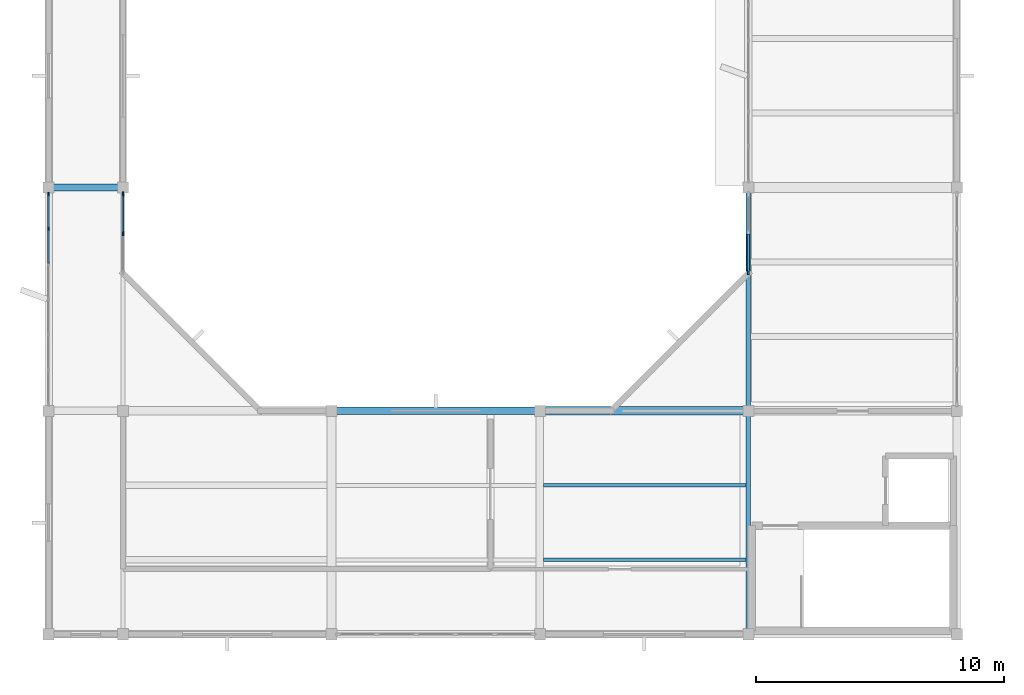
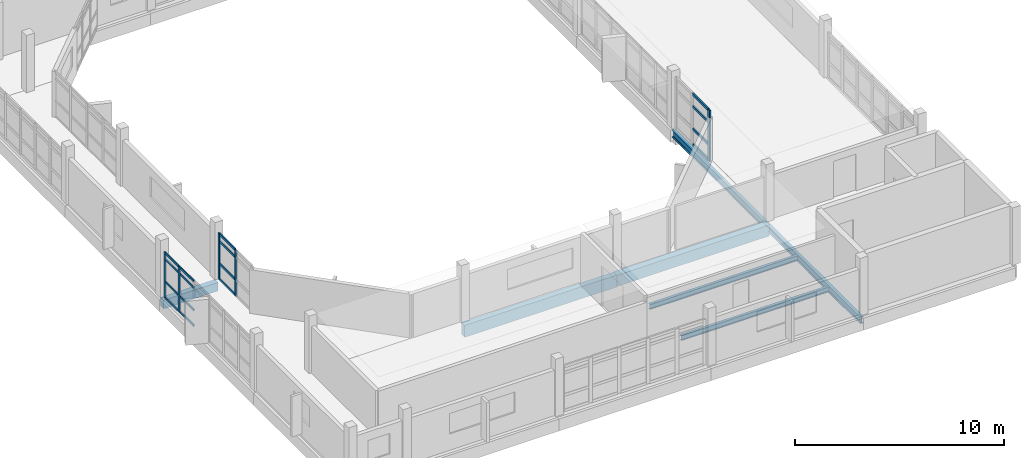
# One storey, part 3 of 33: 21 members, 7 beams, 3 elements without a shape of their own.
"""IFC4 building model written with IfcOpenShell, lengths in metres."""

from ifc_helpers import new_model, si_unit, direction, frame, origin, origin_2d, place, context, subcontext, project, spatial, rectangle, i_section, extrude, material, material_profile, profile_set, type_object, element, aggregate, save


model = new_model("IFC4")

# Units and contexts
model_context = context("Model", 3, precision=1e-05, world=origin(), true_north=direction((0.0, 1.0)))
body_context = subcontext(model_context, "Body", "Model", "MODEL_VIEW")
ifc_project = project(units=[si_unit("LENGTHUNIT", "METRE"), si_unit("AREAUNIT", "SQUARE_METRE"), si_unit("VOLUMEUNIT", "CUBIC_METRE"), si_unit("PLANEANGLEUNIT", "RADIAN"), si_unit("MASSUNIT", "GRAM", prefix="KILO")], contexts=[model_context])

# Site, building, storey
site_placement = place(None, origin())
site = spatial("IfcSite", under=ifc_project, at=site_placement, CompositionType="ELEMENT")
building_placement = place(site_placement, origin())
building = spatial("IfcBuilding", under=site, at=building_placement, Name="Vanh Quang Courtyard School", CompositionType="ELEMENT")
storey_placement = place(building_placement, frame((0.0, 0.0, 18.60009765625)))
storey = spatial("IfcBuildingStorey", under=building, at=storey_placement, Name="L05", CompositionType="ELEMENT", Elevation=18.60009765625)

# Beams
ifc_material_1 = material(Name="Concrete C35/45", Category="concrete")
ifc_material_profile_1 = material_profile(ifc_material_1, rectangle(XDim=0.300048828125, YDim=0.5, at=origin_2d()), Name="RC-BM 300x500")
ifc_profile_set_1 = profile_set([ifc_material_profile_1], Name="Concrete C35/45")
beam_type_1 = type_object("IfcBeamType", Name="BM-RC-300x500", PredefinedType="BEAM", material=ifc_profile_set_1)
beam_1_placement = place(storey_placement, frame((37.800048828125, 50.39990234375, -0.5), z_axis=(1.0, 0.0, 0.0), x_axis=(0.0, 1.0, 0.0)))
element("IfcBeam", 1, at=beam_1_placement, inside=storey, type_object=beam_type_1, Name="Beam B-08 (L05)", PredefinedType="BEAM", context=body_context, shape_type="SweptSolid", body=[
    extrude(rectangle(XDim=0.300048828125, YDim=0.5, at=origin_2d()), origin(), (0.0, 0.0, 1.0), 3.0),
])
ifc_material_profile_2 = material_profile(ifc_material_1, rectangle(XDim=0.35009765625, YDim=0.64990234375, at=origin_2d()), Name="RC-BM 350x650")
ifc_profile_set_2 = profile_set([ifc_material_profile_2], Name="Concrete C35/45")
beam_type_2 = type_object("IfcBeamType", Name="BM-RC-350x650", PredefinedType="BEAM", material=ifc_profile_set_2)
beam_2_placement = place(storey_placement, frame((57.60009765625, 41.39990234375, -0.5751953125), z_axis=(1.0, 0.0, 0.0), x_axis=(0.0, 1.0, 0.0)))
element("IfcBeam", 2, at=beam_2_placement, inside=storey, type_object=beam_type_2, Name="Beam B-05 (L05)", PredefinedType="BEAM", context=body_context, shape_type="SweptSolid", body=[
    extrude(rectangle(XDim=0.35009765625, YDim=0.64990234375, at=origin_2d()), origin(), (0.0, 0.0, 1.0), 8.39990234375),
])
ifc_material_profile_3 = material_profile(ifc_material_1, rectangle(XDim=0.300048828125, YDim=0.699951171875, at=origin_2d()), Name="RC-SP 300x700")
ifc_profile_set_3 = profile_set([ifc_material_profile_3], Name="Concrete C35/45")
beam_type_3 = type_object("IfcBeamType", Name="BM-SP-300x700", PredefinedType="SPANDREL", material=ifc_profile_set_3)
beam_3_placement = place(storey_placement, frame((49.199951171875, 41.39990234375, -0.60009765625), z_axis=(1.0, 0.0, 0.0), x_axis=(0.0, 1.0, 0.0)))
element("IfcBeam", 3, at=beam_3_placement, inside=storey, type_object=beam_type_3, Name="Beam BS-01 (L05)", PredefinedType="SPANDREL", context=body_context, shape_type="SweptSolid", body=[
    extrude(rectangle(XDim=0.300048828125, YDim=0.699951171875, at=origin_2d()), origin(), (0.0, 0.0, 1.0), 8.400146484375),
])
ifc_material_2 = material(Name="Structural steel EN 10025-2 S355J2", Category="steel")
ifc_material_profile_4 = material_profile(ifc_material_2, i_section(OverallWidth=0.179931640625, OverallDepth=0.39990234375, WebThickness=0.008544921875, FlangeThickness=0.013427734375, FilletRadius=0.02099609375, at=origin_2d()), Name="IPE 400")
ifc_profile_set_4 = profile_set([ifc_material_profile_4], Name="Structural steel EN 10025-2 S355J2")
beam_type_4 = type_object("IfcBeamType", Name="BM-STL-IPE400", PredefinedType="BEAM", material=ifc_profile_set_4)
for number, where, z_axis, x_axis, name in (
    (4, (66.0, 32.39990234375, -0.4501953125), (0.0, 1.0, 0.0), (-1.0, 0.0, 0.0), "Beam SB-05 (L05)"),
    (5, (66.0, 41.39990234375, -0.4501953125), (0.0, 1.0, 0.0), (-1.0, 0.0, 0.0), "Beam SB-05 (L05)"),
):
    element("IfcBeam", number, at=place(storey_placement, frame(where, z_axis=z_axis, x_axis=x_axis)), inside=storey, type_object=beam_type_4, Name=name, PredefinedType="BEAM", context=body_context, shape_type="SweptSolid", body=[
        extrude(i_section(OverallWidth=0.179931640625, OverallDepth=0.39990234375, WebThickness=0.008544921875, FlangeThickness=0.013427734375, FilletRadius=0.02099609375, at=origin_2d()), origin(), (0.0, 0.0, 1.0), 9.0),
    ])

# Curtain wall, members
ifc_material_3 = material(Name="Thermally broken aluminium unitised curtain wall", Category="aluminium")
curtain_wall_type_1 = type_object("IfcCurtainWallType", Name="CW-SYS-50", PredefinedType="NOTDEFINED", material=ifc_material_3)
curtain_wall_1_placement = place(storey_placement, origin())
curtain_wall_1 = element("IfcCurtainWall", 6, at=curtain_wall_1_placement, inside=storey, type_object=curtain_wall_type_1, Name="Curtain Wall CW-50 (L05)", PredefinedType="NOTDEFINED")
ifc_material_4 = material(Name="Anodised aluminium 6063-T6", Category="aluminium")
ifc_material_profile_5 = material_profile(ifc_material_4, rectangle(XDim=0.06005859375, YDim=0.159912109375, at=origin_2d()), Name="ALU-MUL 60x160")
ifc_profile_set_5 = profile_set([ifc_material_profile_5], Name="Anodised aluminium 6063-T6")
member_type_1 = type_object("IfcMemberType", Name="CW-MUL-60x160", PredefinedType="MULLION", material=ifc_profile_set_5)
member_1_placement = place(storey_placement, frame((37.800048828125, 48.74462890625, 0.0), z_axis=(0.0, 0.0, 1.0), x_axis=(-1.0, 0.0, 0.0)))
member_1 = element("IfcMember", 7, at=member_1_placement, type_object=member_type_1, Name="CW-50 mullion 6", PredefinedType="MULLION", context=body_context, shape_type="SweptSolid", body=[
    extrude(rectangle(XDim=0.06005859375, YDim=0.159912109375, at=origin_2d()), origin(), (0.0, 0.0, 1.0), 2.64990234375),
])
member_2_placement = place(storey_placement, frame((37.800048828125, 50.136962890625, 0.0), z_axis=(0.0, 0.0, 1.0), x_axis=(-1.0, 0.0, 0.0)))
member_2 = element("IfcMember", 8, at=member_2_placement, type_object=member_type_1, Name="CW-50 mullion 7", PredefinedType="MULLION", context=body_context, shape_type="SweptSolid", body=[
    extrude(rectangle(XDim=0.06005859375, YDim=0.159912109375, at=origin_2d()), origin(), (0.0, 0.0, 1.0), 2.64990234375),
])

curtain_wall_type_2 = type_object("IfcCurtainWallType", Name="CW-SYS-43", PredefinedType="NOTDEFINED", material=ifc_material_3)
curtain_wall_2_placement = place(storey_placement, origin())
curtain_wall_2 = element("IfcCurtainWall", 9, at=curtain_wall_2_placement, inside=storey, type_object=curtain_wall_type_2, Name="Curtain Wall CW-43 (L05)", PredefinedType="NOTDEFINED")
ifc_material_profile_6 = material_profile(ifc_material_4, rectangle(XDim=0.070068359375, YDim=0.179931640625, at=origin_2d()), Name="ALU-MUL 70x180")
ifc_profile_set_6 = profile_set([ifc_material_profile_6], Name="Anodised aluminium 6063-T6")
member_type_2 = type_object("IfcMemberType", Name="CW-MUL-70x180", PredefinedType="MULLION", material=ifc_profile_set_6)
member_3_placement = place(storey_placement, frame((40.800048828125, 50.132080078125, 0.0), z_axis=(0.0, 0.0, 1.0), x_axis=(1.0, 0.0, 0.0)))
member_3 = element("IfcMember", 10, at=member_3_placement, type_object=member_type_2, Name="CW-43 mullion 1", PredefinedType="MULLION", context=body_context, shape_type="SweptSolid", body=[
    extrude(rectangle(XDim=0.070068359375, YDim=0.179931640625, at=origin_2d()), origin(), (0.0, 0.0, 1.0), 2.699951171875),
])
member_4_placement = place(storey_placement, frame((40.800048828125, 48.555419921875, 0.0), z_axis=(0.0, 0.0, 1.0), x_axis=(1.0, 0.0, 0.0)))
member_4 = element("IfcMember", 11, at=member_4_placement, type_object=member_type_2, Name="CW-43 mullion 2", PredefinedType="MULLION", context=body_context, shape_type="SweptSolid", body=[
    extrude(rectangle(XDim=0.070068359375, YDim=0.179931640625, at=origin_2d()), origin(), (0.0, 0.0, 1.0), 2.699951171875),
])

# Curtain wall, member
curtain_wall_type_3 = type_object("IfcCurtainWallType", Name="CW-SYS-53", PredefinedType="NOTDEFINED", material=ifc_material_3)
curtain_wall_3_placement = place(storey_placement, origin())
curtain_wall_3 = element("IfcCurtainWall", 12, at=curtain_wall_3_placement, inside=storey, type_object=curtain_wall_type_3, Name="Curtain Wall CW-53 (L05)", PredefinedType="NOTDEFINED")
ifc_material_profile_7 = material_profile(ifc_material_4, rectangle(XDim=0.080078125, YDim=0.199951171875, at=origin_2d()), Name="ALU-MUL 80x200")
ifc_profile_set_7 = profile_set([ifc_material_profile_7], Name="Anodised aluminium 6063-T6")
member_type_3 = type_object("IfcMemberType", Name="CW-MUL-80x200", PredefinedType="MULLION", material=ifc_profile_set_7)
member_5_placement = place(storey_placement, frame((66.0, 46.98388671875, 0.0), z_axis=(0.0, 0.0, 1.0), x_axis=(-1.0, 0.0, 0.0)))
member_5 = element("IfcMember", 13, at=member_5_placement, type_object=member_type_3, Name="CW-53 mullion 1", PredefinedType="MULLION", context=body_context, shape_type="SweptSolid", body=[
    extrude(rectangle(XDim=0.080078125, YDim=0.199951171875, at=origin_2d()), origin(), (0.0, 0.0, 1.0), 2.989990234375),
])

# Member
ifc_material_profile_8 = material_profile(ifc_material_4, rectangle(XDim=0.06005859375, YDim=0.1201171875, at=origin_2d()), Name="ALU-TRN 60x120")
ifc_profile_set_8 = profile_set([ifc_material_profile_8], Name="Anodised aluminium 6063-T6")
member_type_4 = type_object("IfcMemberType", Name="CW-TRN-60x120", PredefinedType="USERDEFINED", material=ifc_profile_set_8)
member_6_placement = place(storey_placement, frame((37.800048828125, 47.352294921875, 0.02978515625), z_axis=(0.0, 1.0, 0.0), x_axis=(-1.0, 0.0, 0.0)))
member_6 = element("IfcMember", 14, at=member_6_placement, type_object=member_type_4, Name="CW-50 transom 5.1", ObjectType="TRANSOM", PredefinedType="USERDEFINED", context=body_context, shape_type="SweptSolid", body=[
    extrude(rectangle(XDim=0.06005859375, YDim=0.1201171875, at=origin_2d()), origin(), (0.0, 0.0, 1.0), 1.3623046875),
])

member_7_placement = place(storey_placement, frame((37.800048828125, 47.352294921875, 0.949951171875), z_axis=(0.0, 1.0, 0.0), x_axis=(-1.0, 0.0, 0.0)))
member_7 = element("IfcMember", 15, at=member_7_placement, type_object=member_type_4, Name="CW-50 transom 5.2", ObjectType="TRANSOM", PredefinedType="USERDEFINED", context=body_context, shape_type="SweptSolid", body=[
    extrude(rectangle(XDim=0.06005859375, YDim=0.1201171875, at=origin_2d()), origin(), (0.0, 0.0, 1.0), 1.3623046875),
])

member_8_placement = place(storey_placement, frame((37.800048828125, 47.352294921875, 2.25), z_axis=(0.0, 1.0, 0.0), x_axis=(-1.0, 0.0, 0.0)))
member_8 = element("IfcMember", 16, at=member_8_placement, type_object=member_type_4, Name="CW-50 transom 5.3", ObjectType="TRANSOM", PredefinedType="USERDEFINED", context=body_context, shape_type="SweptSolid", body=[
    extrude(rectangle(XDim=0.06005859375, YDim=0.1201171875, at=origin_2d()), origin(), (0.0, 0.0, 1.0), 1.3623046875),
])

member_9_placement = place(storey_placement, frame((37.800048828125, 47.352294921875, 2.619873046875), z_axis=(0.0, 1.0, 0.0), x_axis=(-1.0, 0.0, 0.0)))
member_9 = element("IfcMember", 17, at=member_9_placement, type_object=member_type_4, Name="CW-50 transom 5.4", ObjectType="TRANSOM", PredefinedType="USERDEFINED", context=body_context, shape_type="SweptSolid", body=[
    extrude(rectangle(XDim=0.06005859375, YDim=0.1201171875, at=origin_2d()), origin(), (0.0, 0.0, 1.0), 1.3623046875),
])

member_10_placement = place(storey_placement, frame((37.800048828125, 48.774658203125, 0.02978515625), z_axis=(0.0, 1.0, 0.0), x_axis=(-1.0, 0.0, 0.0)))
member_10 = element("IfcMember", 18, at=member_10_placement, type_object=member_type_4, Name="CW-50 transom 6.1", ObjectType="TRANSOM", PredefinedType="USERDEFINED", context=body_context, shape_type="SweptSolid", body=[
    extrude(rectangle(XDim=0.06005859375, YDim=0.1201171875, at=origin_2d()), origin(), (0.0, 0.0, 1.0), 1.332275390625),
])

member_11_placement = place(storey_placement, frame((37.800048828125, 48.774658203125, 0.949951171875), z_axis=(0.0, 1.0, 0.0), x_axis=(-1.0, 0.0, 0.0)))
member_11 = element("IfcMember", 19, at=member_11_placement, type_object=member_type_4, Name="CW-50 transom 6.2", ObjectType="TRANSOM", PredefinedType="USERDEFINED", context=body_context, shape_type="SweptSolid", body=[
    extrude(rectangle(XDim=0.06005859375, YDim=0.1201171875, at=origin_2d()), origin(), (0.0, 0.0, 1.0), 1.332275390625),
])

member_12_placement = place(storey_placement, frame((37.800048828125, 48.774658203125, 2.25), z_axis=(0.0, 1.0, 0.0), x_axis=(-1.0, 0.0, 0.0)))
member_12 = element("IfcMember", 20, at=member_12_placement, type_object=member_type_4, Name="CW-50 transom 6.3", ObjectType="TRANSOM", PredefinedType="USERDEFINED", context=body_context, shape_type="SweptSolid", body=[
    extrude(rectangle(XDim=0.06005859375, YDim=0.1201171875, at=origin_2d()), origin(), (0.0, 0.0, 1.0), 1.332275390625),
])

member_13_placement = place(storey_placement, frame((37.800048828125, 48.774658203125, 2.619873046875), z_axis=(0.0, 1.0, 0.0), x_axis=(-1.0, 0.0, 0.0)))
member_13 = element("IfcMember", 21, at=member_13_placement, type_object=member_type_4, Name="CW-50 transom 6.4", ObjectType="TRANSOM", PredefinedType="USERDEFINED", context=body_context, shape_type="SweptSolid", body=[
    extrude(rectangle(XDim=0.06005859375, YDim=0.1201171875, at=origin_2d()), origin(), (0.0, 0.0, 1.0), 1.332275390625),
])

aggregate(curtain_wall_1, [member_1, member_2, member_6, member_7, member_8, member_9, member_10, member_11, member_12, member_13])

ifc_material_profile_9 = material_profile(ifc_material_4, rectangle(XDim=0.070068359375, YDim=0.139892578125, at=origin_2d()), Name="ALU-TRN 70x140")
ifc_profile_set_9 = profile_set([ifc_material_profile_9], Name="Anodised aluminium 6063-T6")
member_type_5 = type_object("IfcMemberType", Name="CW-TRN-70x140", PredefinedType="USERDEFINED", material=ifc_profile_set_9)
member_14_placement = place(storey_placement, frame((40.800048828125, 50.096923828125, 0.034912109375), z_axis=(0.0, -1.0, 0.0), x_axis=(1.0, 0.0, 0.0)))
member_14 = element("IfcMember", 22, at=member_14_placement, type_object=member_type_5, Name="CW-43 transom 1.1", ObjectType="TRANSOM", PredefinedType="USERDEFINED", context=body_context, shape_type="SweptSolid", body=[
    extrude(rectangle(XDim=0.070068359375, YDim=0.139892578125, at=origin_2d()), origin(), (0.0, 0.0, 1.0), 1.50634765625),
])

member_15_placement = place(storey_placement, frame((40.800048828125, 50.096923828125, 0.949951171875), z_axis=(0.0, -1.0, 0.0), x_axis=(1.0, 0.0, 0.0)))
member_15 = element("IfcMember", 23, at=member_15_placement, type_object=member_type_5, Name="CW-43 transom 1.2", ObjectType="TRANSOM", PredefinedType="USERDEFINED", context=body_context, shape_type="SweptSolid", body=[
    extrude(rectangle(XDim=0.070068359375, YDim=0.139892578125, at=origin_2d()), origin(), (0.0, 0.0, 1.0), 1.50634765625),
])

member_16_placement = place(storey_placement, frame((40.800048828125, 50.096923828125, 2.25), z_axis=(0.0, -1.0, 0.0), x_axis=(1.0, 0.0, 0.0)))
member_16 = element("IfcMember", 24, at=member_16_placement, type_object=member_type_5, Name="CW-43 transom 1.3", ObjectType="TRANSOM", PredefinedType="USERDEFINED", context=body_context, shape_type="SweptSolid", body=[
    extrude(rectangle(XDim=0.070068359375, YDim=0.139892578125, at=origin_2d()), origin(), (0.0, 0.0, 1.0), 1.50634765625),
])

member_17_placement = place(storey_placement, frame((40.800048828125, 50.096923828125, 2.664794921875), z_axis=(0.0, -1.0, 0.0), x_axis=(1.0, 0.0, 0.0)))
member_17 = element("IfcMember", 25, at=member_17_placement, type_object=member_type_5, Name="CW-43 transom 1.4", ObjectType="TRANSOM", PredefinedType="USERDEFINED", context=body_context, shape_type="SweptSolid", body=[
    extrude(rectangle(XDim=0.070068359375, YDim=0.139892578125, at=origin_2d()), origin(), (0.0, 0.0, 1.0), 1.50634765625),
])

aggregate(curtain_wall_2, [member_3, member_4, member_14, member_15, member_16, member_17])

ifc_material_profile_10 = material_profile(ifc_material_4, rectangle(XDim=0.080078125, YDim=0.14990234375, at=origin_2d()), Name="ALU-TRN 80x150")
ifc_profile_set_10 = profile_set([ifc_material_profile_10], Name="Anodised aluminium 6063-T6")
member_type_6 = type_object("IfcMemberType", Name="CW-TRN-80x150", PredefinedType="USERDEFINED", material=ifc_profile_set_10)
member_18_placement = place(storey_placement, frame((66.0, 47.02392578125, 0.039794921875), z_axis=(0.0, 1.0, 0.0), x_axis=(-1.0, 0.0, 0.0)))
member_18 = element("IfcMember", 26, at=member_18_placement, type_object=member_type_6, Name="CW-53 transom 1.1", ObjectType="TRANSOM", PredefinedType="USERDEFINED", context=body_context, shape_type="SweptSolid", body=[
    extrude(rectangle(XDim=0.080078125, YDim=0.14990234375, at=origin_2d()), origin(), (0.0, 0.0, 1.0), 1.491455078125),
])

member_19_placement = place(storey_placement, frame((66.0, 47.02392578125, 0.949951171875), z_axis=(0.0, 1.0, 0.0), x_axis=(-1.0, 0.0, 0.0)))
member_19 = element("IfcMember", 27, at=member_19_placement, type_object=member_type_6, Name="CW-53 transom 1.2", ObjectType="TRANSOM", PredefinedType="USERDEFINED", context=body_context, shape_type="SweptSolid", body=[
    extrude(rectangle(XDim=0.080078125, YDim=0.14990234375, at=origin_2d()), origin(), (0.0, 0.0, 1.0), 1.491455078125),
])

member_20_placement = place(storey_placement, frame((66.0, 47.02392578125, 2.25), z_axis=(0.0, 1.0, 0.0), x_axis=(-1.0, 0.0, 0.0)))
member_20 = element("IfcMember", 28, at=member_20_placement, type_object=member_type_6, Name="CW-53 transom 1.3", ObjectType="TRANSOM", PredefinedType="USERDEFINED", context=body_context, shape_type="SweptSolid", body=[
    extrude(rectangle(XDim=0.080078125, YDim=0.14990234375, at=origin_2d()), origin(), (0.0, 0.0, 1.0), 1.491455078125),
])

member_21_placement = place(storey_placement, frame((66.0, 47.02392578125, 2.949951171875), z_axis=(0.0, 1.0, 0.0), x_axis=(-1.0, 0.0, 0.0)))
member_21 = element("IfcMember", 29, at=member_21_placement, type_object=member_type_6, Name="CW-53 transom 1.4", ObjectType="TRANSOM", PredefinedType="USERDEFINED", context=body_context, shape_type="SweptSolid", body=[
    extrude(rectangle(XDim=0.080078125, YDim=0.14990234375, at=origin_2d()), origin(), (0.0, 0.0, 1.0), 1.491455078125),
])

aggregate(curtain_wall_3, [member_5, member_18, member_19, member_20, member_21])

# Beams
ifc_material_profile_11 = material_profile(ifc_material_2, i_section(OverallWidth=0.14990234375, OverallDepth=0.300048828125, WebThickness=0.007080078125, FlangeThickness=0.0107421875, FilletRadius=0.014892578125, at=origin_2d()), Name="IPE 300")
ifc_profile_set_11 = profile_set([ifc_material_profile_11], Name="Structural steel EN 10025-2 S355J2")
beam_type_5 = type_object("IfcBeamType", Name="JST-STL-IPE300", PredefinedType="JOIST", material=ifc_profile_set_11)
for number, where, z_axis, x_axis, name in (
    (30, (57.75, 35.39990234375, -0.400146484375), (1.0, 0.0, 0.0), (0.0, 1.0, 0.0), "Beam SJ-02 (L05)"),
    (31, (57.75, 38.39990234375, -0.400146484375), (1.0, 0.0, 0.0), (0.0, 1.0, 0.0), "Beam SJ-02 (L05)"),
):
    element("IfcBeam", number, at=place(storey_placement, frame(where, z_axis=z_axis, x_axis=x_axis)), inside=storey, type_object=beam_type_5, Name=name, PredefinedType="JOIST", context=body_context, shape_type="SweptSolid", body=[
        extrude(i_section(OverallWidth=0.14990234375, OverallDepth=0.300048828125, WebThickness=0.007080078125, FlangeThickness=0.0107421875, FilletRadius=0.014892578125, at=origin_2d()), origin(), (0.0, 0.0, 1.0), 8.159912109375),
    ])

save(model, "model.ifc")
